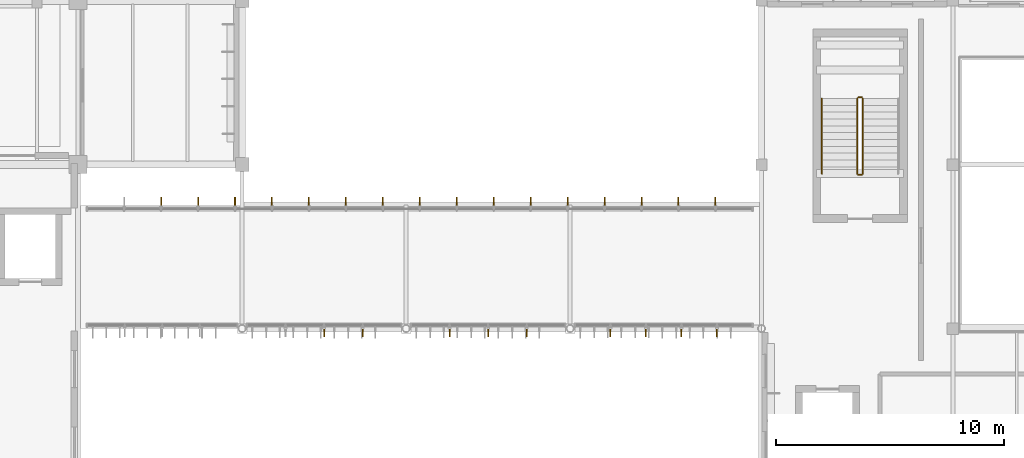
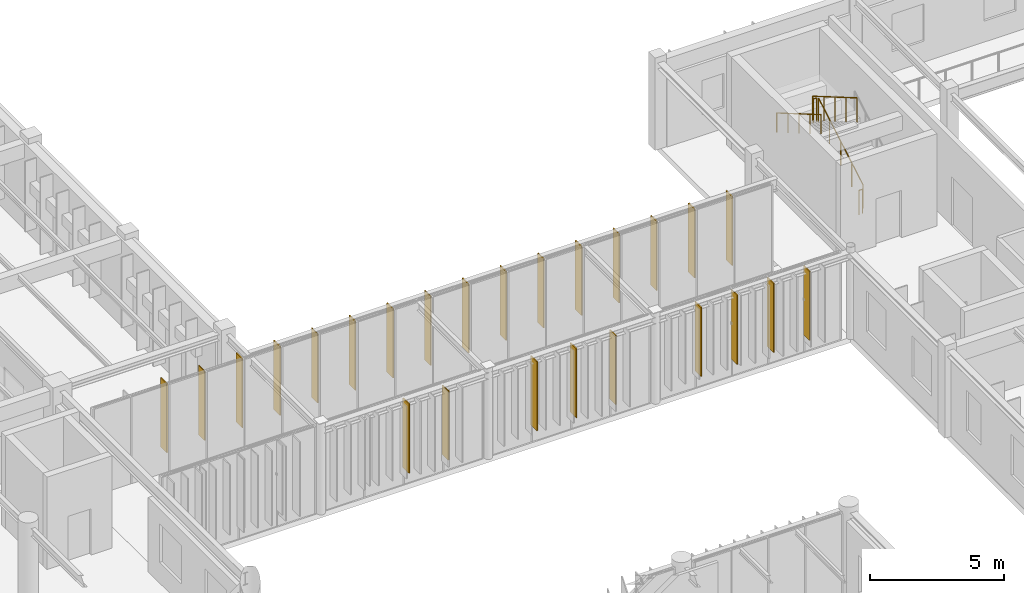
# One storey, part 113 of 122: 25 shading devices, 5 railings.
"""IFC4 building model written with IfcOpenShell, lengths in metres."""

from ifc_helpers import new_model, si_unit, direction, frame, origin, origin_2d, place, context, subcontext, project, spatial, rectangle, circle, extrude, material, layer, layer_set, material_profile, profile_set, type_object, element, save


model = new_model("IFC4")

# Units and contexts
model_context = context("Model", 3, precision=1e-05, world=origin(), true_north=direction((0.0, 1.0)))
body_context = subcontext(model_context, "Body", "Model", "MODEL_VIEW")
ifc_project = project(units=[si_unit("LENGTHUNIT", "METRE"), si_unit("AREAUNIT", "SQUARE_METRE"), si_unit("VOLUMEUNIT", "CUBIC_METRE"), si_unit("PLANEANGLEUNIT", "RADIAN"), si_unit("MASSUNIT", "GRAM", prefix="KILO")], contexts=[model_context])

# Site, building, storey
site_placement = place(None, origin())
site = spatial("IfcSite", under=ifc_project, at=site_placement, CompositionType="ELEMENT")
building_placement = place(site_placement, origin())
building = spatial("IfcBuilding", under=site, at=building_placement, Name="Tazoul Stagehouse", CompositionType="ELEMENT")
storey_placement = place(building_placement, frame((0.0, 0.0, 4.800048828125)))
storey = spatial("IfcBuildingStorey", under=building, at=storey_placement, Name="L01", CompositionType="ELEMENT", Elevation=4.800048828125)

# Shading devices
ifc_material_1 = material(Name="Anodised Bronze Aluminium 6063-T6", Category="aluminium")
ifc_layer_1 = layer(ifc_material_1, 0.050048828125, Name="Anodised Bronze Aluminium 6063-T6")
ifc_layer_set_1 = layer_set([ifc_layer_1], Name="Anodised Bronze Aluminium 6063-T6")
shading_device_type_1 = type_object("IfcShadingDeviceType", Name="Angled Acoustic Sun-Screen Blade 460", PredefinedType="USERDEFINED", material=ifc_layer_set_1)
for number, where, z_axis, x_axis, name in (
    (1, (107.89404296875, 44.469970703125, 0.75), (0.0, 0.0, 1.0), (1.0, 0.0, 0.0), "Shading Louvre FIN-02 CW-ELNK-S-L01-B2-SHD03"),
    (2, (111.705810546875, 44.469970703125, 0.75), (0.0, 0.0, 1.0), (1.0, 0.0, 0.0), "Shading Louvre FIN-02 CW-ELNK-S-L01-B3-SHD01"),
    (3, (115.093994140625, 44.469970703125, 0.75), (0.0, 0.0, 1.0), (1.0, 0.0, 0.0), "Shading Louvre FIN-02 CW-ELNK-S-L01-B3-SHD03"),
    (4, (118.76953125, 44.469970703125, 0.75), (0.0, 0.0, 1.0), (1.0, 0.0, 0.0), "Shading Louvre FIN-02 CW-ELNK-S-L01-B4-SHD01"),
    (5, (121.884765625, 44.469970703125, 0.75), (0.0, 0.0, 1.0), (1.0, 0.0, 0.0), "Shading Louvre FIN-02 CW-ELNK-S-L01-B4-SHD03"),
    (6, (100.666748046875, 50.1298828125, 0.75), (0.0, 0.0, 1.0), (1.0, 0.0, 0.0), "Shading Louvre FIN-02 CW-ELNK-N-L01-SHD03"),
    (7, (103.9111328125, 50.1298828125, 0.75), (0.0, 0.0, 1.0), (1.0, 0.0, 0.0), "Shading Louvre FIN-02 CW-ELNK-N-L01-SHD05"),
    (8, (107.155517578125, 50.1298828125, 0.75), (0.0, 0.0, 1.0), (1.0, 0.0, 0.0), "Shading Louvre FIN-02 CW-ELNK-N-L01-SHD07"),
    (9, (110.39990234375, 50.1298828125, 0.75), (0.0, 0.0, 1.0), (1.0, 0.0, 0.0), "Shading Louvre FIN-02 CW-ELNK-N-L01-SHD09"),
    (10, (113.644287109375, 50.1298828125, 0.75), (0.0, 0.0, 1.0), (1.0, 0.0, 0.0), "Shading Louvre FIN-02 CW-ELNK-N-L01-SHD11"),
    (11, (116.888916015625, 50.1298828125, 0.75), (0.0, 0.0, 1.0), (1.0, 0.0, 0.0), "Shading Louvre FIN-02 CW-ELNK-N-L01-SHD13"),
    (12, (120.13330078125, 50.1298828125, 0.75), (0.0, 0.0, 1.0), (1.0, 0.0, 0.0), "Shading Louvre FIN-02 CW-ELNK-N-L01-SHD15"),
    (13, (123.377685546875, 50.1298828125, 0.75), (0.0, 0.0, 1.0), (1.0, 0.0, 0.0), "Shading Louvre FIN-02 CW-ELNK-N-L01-SHD17"),
):
    element("IfcShadingDevice", number, at=place(storey_placement, frame(where, z_axis=z_axis, x_axis=x_axis)), inside=storey, type_object=shading_device_type_1, Name=name, ObjectType="FIN", PredefinedType="USERDEFINED", context=body_context, shape_type="SweptSolid", body=[
        extrude(rectangle(XDim=0.044921875, YDim=0.4599609375, at=origin_2d()), origin(), (0.0, 0.0, 1.0), 3.14990234375),
    ])

# Railings
ifc_material_2 = material(Name="Brushed Stainless Steel 316L", Category="steel")
ifc_material_profile_1 = material_profile(ifc_material_2, circle(Radius=0.02392578125, at=origin_2d()), Name="SS RAIL D48")
ifc_profile_set_1 = profile_set([ifc_material_profile_1], Name="Brushed Stainless Steel 316L")
railing_type_1 = type_object("IfcRailingType", Name="Architectural Guardrail H1120", PredefinedType="GUARDRAIL", material=ifc_profile_set_1)
railing_1_placement = place(storey_placement, frame((129.85009765625, 51.39990234375, 0.175048828125)))
element("IfcRailing", 14, at=railing_1_placement, inside=storey, type_object=railing_type_1, Name="L01 ST-07 stair guard 1", PredefinedType="GUARDRAIL", context=body_context, shape_type="SweptSolid", body=[
    extrude(circle(Radius=0.02392578125, at=origin_2d()), frame((0.0, 0.0, 1.09619140625), z_axis=(0.0, 0.863804395585, 0.503827317807), x_axis=(-1.0, 0.0, 0.0)), (0.0, 0.0, 1.0), 3.8203125),
    extrude(circle(Radius=0.02099609375, at=origin_2d()), origin(), (0.0, 0.0, 1.0), 1.072021484375),
    extrude(circle(Radius=0.02099609375, at=origin_2d()), frame((0.0, 0.824951171875, 0.481201171875)), (0.0, 0.0, 1.0), 1.072021484375),
    extrude(circle(Radius=0.02099609375, at=origin_2d()), frame((0.0, 1.64990234375, 0.96240234375)), (0.0, 0.0, 1.0), 1.072021484375),
    extrude(circle(Radius=0.02099609375, at=origin_2d()), frame((0.0, 2.47509765625, 1.443603515625)), (0.0, 0.0, 1.0), 1.072021484375),
    extrude(circle(Radius=0.02099609375, at=origin_2d()), frame((0.0, 3.300048828125, 1.9248046875)), (0.0, 0.0, 1.0), 1.072021484375),
])
railing_2_placement = place(storey_placement, frame((129.800048828125, 54.75, 2.099853515625)))
element("IfcRailing", 15, at=railing_2_placement, inside=storey, type_object=railing_type_1, Name="L01 ST-07 stair guard 2", PredefinedType="GUARDRAIL", context=body_context, shape_type="SweptSolid", body=[
    extrude(circle(Radius=0.02392578125, at=origin_2d()), frame((0.0, 0.0, 1.09619140625), z_axis=(-1.0, 0.0, 0.0), x_axis=(0.0, -1.0, 0.0)), (0.0, 0.0, 1.0), 0.150146484375),
    extrude(circle(Radius=0.02099609375, at=origin_2d()), origin(), (0.0, 0.0, 1.0), 1.072021484375),
    extrude(circle(Radius=0.02099609375, at=origin_2d()), frame((-0.150146484375, 0.0, 0.0)), (0.0, 0.0, 1.0), 1.072021484375),
])
railing_3_placement = place(storey_placement, frame((129.60009765625, 54.699951171875, 2.27490234375)))
element("IfcRailing", 16, at=railing_3_placement, inside=storey, type_object=railing_type_1, Name="L01 ST-07 stair guard 3", PredefinedType="GUARDRAIL", context=body_context, shape_type="SweptSolid", body=[
    extrude(circle(Radius=0.02392578125, at=origin_2d()), frame((0.0, 0.0, 1.09619140625), z_axis=(0.0, -0.863776583165, 0.503874998761), x_axis=(1.0, 0.0, 0.0)), (0.0, 0.0, 1.0), 3.820556640625),
    extrude(circle(Radius=0.02099609375, at=origin_2d()), origin(), (0.0, 0.0, 1.0), 1.072021484375),
    extrude(circle(Radius=0.02099609375, at=origin_2d()), frame((0.0, -0.824951171875, 0.481201171875)), (0.0, 0.0, 1.0), 1.072021484375),
    extrude(circle(Radius=0.02099609375, at=origin_2d()), frame((0.0, -1.64990234375, 0.96240234375)), (0.0, 0.0, 1.0), 1.072021484375),
    extrude(circle(Radius=0.02099609375, at=origin_2d()), frame((0.0, -2.47509765625, 1.44384765625)), (0.0, 0.0, 1.0), 1.072021484375),
    extrude(circle(Radius=0.02099609375, at=origin_2d()), frame((0.0, -3.300048828125, 1.925048828125)), (0.0, 0.0, 1.0), 1.072021484375),
])
railing_4_placement = place(storey_placement, frame((129.800048828125, 51.35009765625, 0.0)))
element("IfcRailing", 17, at=railing_4_placement, inside=storey, type_object=railing_type_1, Name="L01 ST-07 stair guard 4", PredefinedType="GUARDRAIL", context=body_context, shape_type="SweptSolid", body=[
    extrude(circle(Radius=0.02392578125, at=origin_2d()), frame((0.0, 0.0, 1.09619140625), z_axis=(-1.0, 0.0, 0.0), x_axis=(0.0, -1.0, 0.0)), (0.0, 0.0, 1.0), 0.150146484375),
    extrude(circle(Radius=0.02099609375, at=origin_2d()), origin(), (0.0, 0.0, 1.0), 1.072021484375),
    extrude(circle(Radius=0.02099609375, at=origin_2d()), frame((-0.150146484375, 0.0, 0.0)), (0.0, 0.0, 1.0), 1.072021484375),
])
ifc_material_profile_2 = material_profile(ifc_material_2, circle(Radius=0.02099609375, at=origin_2d()), Name="SS HANDRAIL D42")
ifc_profile_set_2 = profile_set([ifc_material_profile_2], Name="Brushed Stainless Steel 316L")
railing_type_2 = type_object("IfcRailingType", Name="Continuous Stair Handrail H900", PredefinedType="HANDRAIL", material=ifc_profile_set_2)
railing_5_placement = place(storey_placement, frame((128.050048828125, 54.699951171875, 2.27490234375)))
element("IfcRailing", 18, at=railing_5_placement, inside=storey, type_object=railing_type_2, Name="L01 ST-07 stair handrail 2", PredefinedType="HANDRAIL", context=body_context, shape_type="SweptSolid", body=[
    extrude(circle(Radius=0.02392578125, at=origin_2d()), frame((0.0, 0.0, 0.8759765625), z_axis=(0.0, -0.863776583165, 0.503874998761), x_axis=(1.0, 0.0, 0.0)), (0.0, 0.0, 1.0), 3.820556640625),
    extrude(circle(Radius=0.02099609375, at=origin_2d()), origin(), (0.0, 0.0, 1.0), 0.851806640625),
    extrude(circle(Radius=0.02099609375, at=origin_2d()), frame((0.0, -0.824951171875, 0.481201171875)), (0.0, 0.0, 1.0), 0.851806640625),
    extrude(circle(Radius=0.02099609375, at=origin_2d()), frame((0.0, -1.64990234375, 0.96240234375)), (0.0, 0.0, 1.0), 0.851806640625),
    extrude(circle(Radius=0.02099609375, at=origin_2d()), frame((0.0, -2.47509765625, 1.44384765625)), (0.0, 0.0, 1.0), 0.851806640625),
    extrude(circle(Radius=0.02099609375, at=origin_2d()), frame((0.0, -3.300048828125, 1.925048828125)), (0.0, 0.0, 1.0), 0.851806640625),
])

# Shading devices
ifc_layer_2 = layer(ifc_material_1, 0.044921875, Name="Anodised Bronze Aluminium 6063-T6")
ifc_layer_set_2 = layer_set([ifc_layer_2], Name="Anodised Bronze Aluminium 6063-T6")
shading_device_type_2 = type_object("IfcShadingDeviceType", Name="Vertical Extruded Terracotta-Bronze Louvre 460", PredefinedType="JALOUSIE", material=ifc_layer_set_2)
for number, where, z_axis, x_axis, name in (
    (19, (106.199951171875, 44.469970703125, 0.75), (0.0, 0.0, 1.0), (1.0, 0.0, 0.0), "Shading Louvre FIN-01 CW-ELNK-S-L01-B2-SHD02"),
    (20, (113.39990234375, 44.469970703125, 0.75), (0.0, 0.0, 1.0), (1.0, 0.0, 0.0), "Shading Louvre FIN-01 CW-ELNK-S-L01-B3-SHD02"),
    (21, (120.3271484375, 44.469970703125, 0.75), (0.0, 0.0, 1.0), (1.0, 0.0, 0.0), "Shading Louvre FIN-01 CW-ELNK-S-L01-B4-SHD02"),
    (22, (123.4423828125, 44.469970703125, 0.75), (0.0, 0.0, 1.0), (1.0, 0.0, 0.0), "Shading Louvre FIN-01 CW-ELNK-S-L01-B4-SHD04"),
    (23, (99.04443359375, 50.1298828125, 0.75), (0.0, 0.0, 1.0), (1.0, 0.0, 0.0), "Shading Louvre FIN-01 CW-ELNK-N-L01-SHD02"),
    (24, (102.288818359375, 50.1298828125, 0.75), (0.0, 0.0, 1.0), (1.0, 0.0, 0.0), "Shading Louvre FIN-01 CW-ELNK-N-L01-SHD04"),
    (25, (105.533203125, 50.1298828125, 0.75), (0.0, 0.0, 1.0), (1.0, 0.0, 0.0), "Shading Louvre FIN-01 CW-ELNK-N-L01-SHD06"),
    (26, (108.77783203125, 50.1298828125, 0.75), (0.0, 0.0, 1.0), (1.0, 0.0, 0.0), "Shading Louvre FIN-01 CW-ELNK-N-L01-SHD08"),
    (27, (112.022216796875, 50.1298828125, 0.75), (0.0, 0.0, 1.0), (1.0, 0.0, 0.0), "Shading Louvre FIN-01 CW-ELNK-N-L01-SHD10"),
    (28, (115.2666015625, 50.1298828125, 0.75), (0.0, 0.0, 1.0), (1.0, 0.0, 0.0), "Shading Louvre FIN-01 CW-ELNK-N-L01-SHD12"),
    (29, (118.510986328125, 50.1298828125, 0.75), (0.0, 0.0, 1.0), (1.0, 0.0, 0.0), "Shading Louvre FIN-01 CW-ELNK-N-L01-SHD14"),
    (30, (121.755615234375, 50.1298828125, 0.75), (0.0, 0.0, 1.0), (1.0, 0.0, 0.0), "Shading Louvre FIN-01 CW-ELNK-N-L01-SHD16"),
):
    element("IfcShadingDevice", number, at=place(storey_placement, frame(where, z_axis=z_axis, x_axis=x_axis)), inside=storey, type_object=shading_device_type_2, Name=name, PredefinedType="JALOUSIE", context=body_context, shape_type="SweptSolid", body=[
        extrude(rectangle(XDim=0.044921875, YDim=0.4599609375, at=origin_2d()), origin(), (0.0, 0.0, 1.0), 3.14990234375),
    ])

save(model, "model.ifc")
